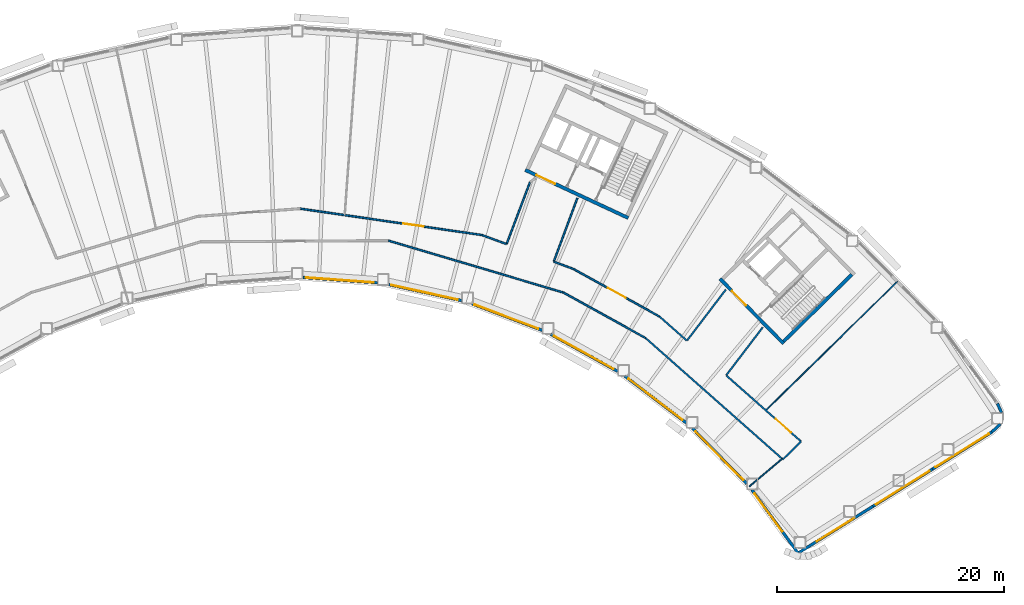
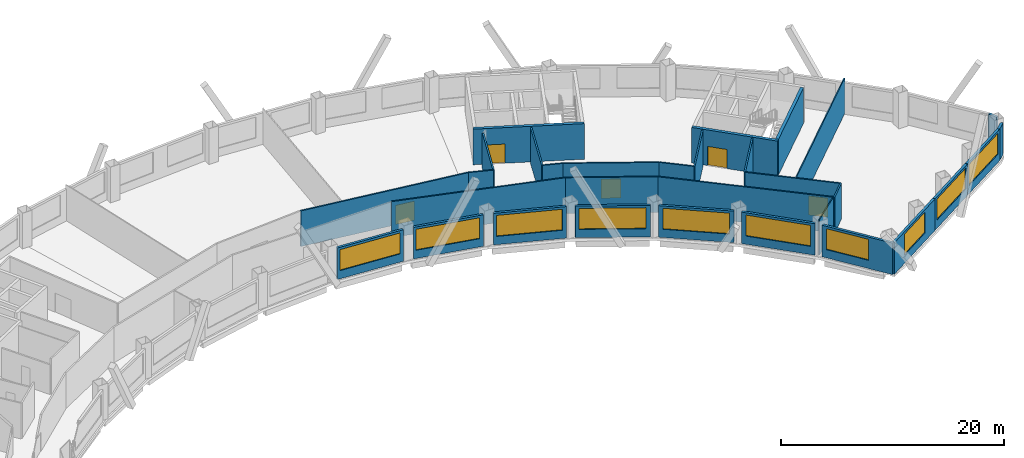
# One storey, part 6 of 11: 31 walls, 10 windows, 5 doors, 15 openings.
"""IFC4 building model written with IfcOpenShell, lengths in metres."""

from ifc_helpers import new_model, si_unit, direction, frame, frame_2d, origin, place, context, subcontext, project, spatial, rectangle, extrude, material, layer, layer_set, type_object, element, fill, save


model = new_model("IFC4")

# Units and contexts
model_context = context("Model", 3, precision=1e-05, world=origin(), true_north=direction((0.0, 1.0)))
body_context = subcontext(model_context, "Body", "Model", "MODEL_VIEW")
ifc_project = project(units=[si_unit("LENGTHUNIT", "METRE"), si_unit("AREAUNIT", "SQUARE_METRE"), si_unit("VOLUMEUNIT", "CUBIC_METRE"), si_unit("PLANEANGLEUNIT", "RADIAN"), si_unit("MASSUNIT", "GRAM", prefix="KILO")], contexts=[model_context])

# Site, building, storey
site_placement = place(None, origin())
site = spatial("IfcSite", under=ifc_project, at=site_placement, CompositionType="ELEMENT")
building_placement = place(site_placement, origin())
building = spatial("IfcBuilding", under=site, at=building_placement, Name="Tuul Gate Civic Tower", CompositionType="ELEMENT")
storey_placement = place(building_placement, frame((0.0, 0.0, 155.0)))
storey = spatial("IfcBuildingStorey", under=building, at=storey_placement, Name="Level 35", CompositionType="ELEMENT", Elevation=155.0)

# Wall, opening, door
ifc_material_1 = material(Name="Concrete C50/60", Category="concrete")
ifc_layer_1 = layer(ifc_material_1, 0.300048828125)
ifc_layer_set_1 = layer_set([ifc_layer_1], Name="Concrete C50/60")
wall_type_1 = type_object("IfcWallType", Name="Core wall C50/60", PredefinedType="SHEAR", material=ifc_layer_set_1)
wall_1_placement = place(storey_placement, frame((48.22509765625, -18.327880859375, 0.0), z_axis=(0.0, 0.0, 1.0), x_axis=(-0.700021979774, 0.714121297703, 0.0)))
wall_1 = element("IfcWall", 1, at=wall_1_placement, inside=storey, type_object=wall_type_1, Name="Core wall", PredefinedType="SHEAR", context=body_context, shape_type="SweptSolid", body=[
    extrude(rectangle(XDim=8.0, YDim=0.300048828125, at=frame_2d((4.0, 0.0))), origin(), (0.0, 0.0, 1.0), 3.89990234375),
])
opening_1_placement = place(wall_1_placement, frame((4.72509765625, 0.0, 0.0)))
opening_1 = element("IfcOpeningElement", 2, at=opening_1_placement, cuts=wall_1, Name="Opening LB-E1-LOBBY-1", PredefinedType="OPENING", context=body_context, shape_type="SweptSolid", body=[
    extrude(rectangle(XDim=1.800048828125, YDim=2.10009765625, at=frame_2d((0.89990234375, 1.050048828125))), frame((0.0, 0.16015625, 0.0), z_axis=(0.0, -1.0, 0.0), x_axis=(1.0, 0.0, 0.0)), (0.0, 0.0, 1.0), 0.320068359375),
])
ifc_material_2 = material(Name="Steel", Category="steel")
door_type_1 = type_object("IfcDoorType", Name="Lobby door", OperationType="DOUBLE_DOOR_SINGLE_SWING", PredefinedType="DOOR", material=ifc_material_2)
door_1_placement = place(opening_1_placement, frame((1.800048828125, 0.0, 0.0), z_axis=(0.0, 0.0, 1.0), x_axis=(-1.0, 0.0, 0.0)))
door_1 = element("IfcDoor", 3, at=door_1_placement, inside=storey, type_object=door_type_1, Name="Lobby door E1-LOBBY", OperationType="DOUBLE_DOOR_SINGLE_SWING", OverallHeight=2.10009765625, OverallWidth=1.800048828125, PredefinedType="DOOR", context=body_context, shape_type="SweptSolid", body=[
    extrude(rectangle(XDim=1.800048828125, YDim=2.10009765625, at=frame_2d((0.900146484375, 1.050048828125))), frame((0.0, 0.02490234375, 0.0), z_axis=(0.0, -1.0, 0.0), x_axis=(1.0, 0.0, 0.0)), (0.0, 0.0, 1.0), 0.050048828125),
])
fill(opening_1, door_1)

# Wall
wall_2_placement = place(storey_placement, frame((48.227294921875, -18.115966796875, 0.0), z_axis=(0.0, 0.0, 1.0), x_axis=(0.714105315431, 0.700038283577, 0.0)))
element("IfcWall", 4, at=wall_2_placement, inside=storey, type_object=wall_type_1, Name="Core wall", PredefinedType="SHEAR", context=body_context, shape_type="SweptSolid", body=[
    extrude(rectangle(XDim=8.400146484375, YDim=0.300048828125, at=frame_2d((4.2001953125, 0.0))), origin(), (0.0, 0.0, 1.0), 3.89990234375),
])

# Wall, opening, door
wall_3_placement = place(storey_placement, frame((34.5283203125, -7.25, 0.0), z_axis=(0.0, 0.0, 1.0), x_axis=(-0.906310338845, 0.422612789327, 0.0)))
wall_3 = element("IfcWall", 5, at=wall_3_placement, inside=storey, type_object=wall_type_1, Name="Core wall", PredefinedType="SHEAR", context=body_context, shape_type="SweptSolid", body=[
    extrude(rectangle(XDim=9.999755859375, YDim=0.300048828125, at=frame_2d((5.0, 0.0))), origin(), (0.0, 0.0, 1.0), 3.89990234375),
])
opening_2_placement = place(wall_3_placement, frame((7.125, 0.0, 0.0)))
opening_2 = element("IfcOpeningElement", 6, at=opening_2_placement, cuts=wall_3, Name="Opening LB-E3-LOBBY-1", PredefinedType="OPENING", context=body_context, shape_type="SweptSolid", body=[
    extrude(rectangle(XDim=1.800048828125, YDim=2.10009765625, at=frame_2d((0.89990234375, 1.050048828125))), frame((0.0, 0.16015625, 0.0), z_axis=(0.0, -1.0, 0.0), x_axis=(1.0, 0.0, 0.0)), (0.0, 0.0, 1.0), 0.320068359375),
])
door_2_placement = place(opening_2_placement, frame((1.800048828125, 0.0, 0.0), z_axis=(0.0, 0.0, 1.0), x_axis=(-1.0, 0.0, 0.0)))
door_2 = element("IfcDoor", 7, at=door_2_placement, inside=storey, type_object=door_type_1, Name="Lobby door E3-LOBBY", OperationType="DOUBLE_DOOR_SINGLE_SWING", OverallHeight=2.10009765625, OverallWidth=1.800048828125, PredefinedType="DOOR", context=body_context, shape_type="SweptSolid", body=[
    extrude(rectangle(XDim=1.800048828125, YDim=2.10009765625, at=frame_2d((0.900146484375, 1.050048828125))), frame((0.0, 0.02490234375, 0.0), z_axis=(0.0, -1.0, 0.0), x_axis=(1.0, 0.0, 0.0)), (0.0, 0.0, 1.0), 0.050048828125),
])
fill(opening_2, door_2)

# Walls
ifc_material_3 = material(Name="Gypsum board partition")
ifc_layer_2 = layer(ifc_material_3, 0.14990234375)
ifc_layer_set_2 = layer_set([ifc_layer_2], Name="Gypsum board partition")
wall_type_2 = type_object("IfcWallType", Name="Corridor wall P150", PredefinedType="PARTITIONING", material=ifc_layer_set_2)
wall_4_placement = place(storey_placement, frame((36.05712890625, -17.82568359375, 0.0), z_axis=(0.0, 0.0, 1.0), x_axis=(0.749274461917, -0.66225960221, 0.0)))
element("IfcWall", 8, at=wall_4_placement, inside=storey, type_object=wall_type_2, Name="p003", PredefinedType="PARTITIONING", context=body_context, shape_type="SweptSolid", body=[
    extrude(rectangle(XDim=16.144287109375, YDim=0.14990234375, at=frame_2d((8.072265625, 0.0))), origin(), (0.0, 0.0, 1.0), 3.89990234375),
])
wall_5_placement = place(storey_placement, frame((48.153564453125, -28.517333984375, 0.0), z_axis=(0.0, 0.0, 1.0), x_axis=(0.711649081693, 0.702535112664, 0.0)))
element("IfcWall", 9, at=wall_5_placement, inside=storey, type_object=wall_type_2, Name="p004", PredefinedType="PARTITIONING", context=body_context, shape_type="SweptSolid", body=[
    extrude(rectangle(XDim=2.250244140625, YDim=0.14990234375, at=frame_2d((1.125, 0.0))), origin(), (0.0, 0.0, 1.0), 3.89990234375),
])
wall_6_placement = place(storey_placement, frame((37.291748046875, -15.93798828125, 0.0), z_axis=(0.0, 0.0, 1.0), x_axis=(0.749786473691, -0.661679865093, 0.0)))
element("IfcWall", 10, at=wall_6_placement, inside=storey, type_object=wall_type_2, Name="p005", PredefinedType="PARTITIONING", context=body_context, shape_type="SweptSolid", body=[
    extrude(rectangle(XDim=3.189453125, YDim=0.14990234375, at=frame_2d((1.5947265625, 0.0))), origin(), (0.0, 0.0, 1.0), 3.89990234375),
])

# Wall, opening, door
wall_7_placement = place(storey_placement, frame((43.172607421875, -21.1279296875, 0.0), z_axis=(0.0, 0.0, 1.0), x_axis=(0.74979808612, -0.661666706167, 0.0)))
wall_7 = element("IfcWall", 11, at=wall_7_placement, inside=storey, type_object=wall_type_2, Name="p006", PredefinedType="PARTITIONING", context=body_context, shape_type="SweptSolid", body=[
    extrude(rectangle(XDim=8.77880859375, YDim=0.14990234375, at=frame_2d((4.389404296875, 0.0))), origin(), (0.0, 0.0, 1.0), 3.89990234375),
])
opening_3_placement = place(wall_7_placement, frame((5.811767578125, 0.0, 0.0)))
opening_3 = element("IfcOpeningElement", 12, at=opening_3_placement, cuts=wall_7, Name="Opening L-D01", PredefinedType="OPENING", context=body_context, shape_type="SweptSolid", body=[
    extrude(rectangle(XDim=1.800048828125, YDim=2.10009765625, at=frame_2d((0.89990234375, 1.050048828125))), frame((0.0, 0.0849609375, 0.0), z_axis=(0.0, -1.0, 0.0), x_axis=(1.0, 0.0, 0.0)), (0.0, 0.0, 1.0), 0.169921875),
])
ifc_material_4 = material(Name="Timber door leaf, double", Category="wood")
door_type_2 = type_object("IfcDoorType", Name="Door D18", OperationType="DOUBLE_DOOR_SINGLE_SWING", PredefinedType="DOOR", material=ifc_material_4)
door_3_placement = place(opening_3_placement, origin())
door_3 = element("IfcDoor", 13, at=door_3_placement, inside=storey, type_object=door_type_2, Name="Door L-D01", OperationType="DOUBLE_DOOR_SINGLE_SWING", OverallHeight=2.10009765625, OverallWidth=1.800048828125, PredefinedType="DOOR", context=body_context, shape_type="SweptSolid", body=[
    extrude(rectangle(XDim=1.800048828125, YDim=2.10009765625, at=frame_2d((0.89990234375, 1.050048828125))), frame((0.0, 0.02490234375, 0.0), z_axis=(0.0, -1.0, 0.0), x_axis=(1.0, 0.0, 0.0)), (0.0, 0.0, 1.0), 0.050048828125),
])
fill(opening_3, door_3)

# Walls
wall_8_placement = place(storey_placement, frame((43.169677734375, -21.099609375, 0.0), z_axis=(0.0, 0.0, 1.0), x_axis=(0.605786662661, 0.795627123307, 0.0)))
element("IfcWall", 14, at=wall_8_placement, inside=storey, type_object=wall_type_2, Name="p008", PredefinedType="PARTITIONING", context=body_context, shape_type="SweptSolid", body=[
    extrude(rectangle(XDim=5.304931640625, YDim=0.14990234375, at=frame_2d((2.65234375, 0.0))), origin(), (0.0, 0.0, 1.0), 3.89990234375),
])
wall_9_placement = place(storey_placement, frame((39.713134765625, -18.04541015625, 0.0), z_axis=(0.0, 0.0, 1.0), x_axis=(0.605803162891, 0.795614559841, 0.0)))
element("IfcWall", 15, at=wall_9_placement, inside=storey, type_object=wall_type_2, Name="p009", PredefinedType="PARTITIONING", context=body_context, shape_type="SweptSolid", body=[
    extrude(rectangle(XDim=5.638916015625, YDim=0.14990234375, at=frame_2d((2.8193359375, 0.0))), origin(), (0.0, 0.0, 1.0), 3.89990234375),
])

# Wall, opening, door
wall_10_placement = place(storey_placement, frame((29.74365234375, -11.760986328125, 0.0), z_axis=(0.0, 0.0, 1.0), x_axis=(0.874963879405, -0.48418819661, 0.0)))
wall_10 = element("IfcWall", 16, at=wall_10_placement, inside=storey, type_object=wall_type_2, Name="p010", PredefinedType="PARTITIONING", context=body_context, shape_type="SweptSolid", body=[
    extrude(rectangle(XDim=8.624755859375, YDim=0.14990234375, at=frame_2d((4.3125, 0.0))), origin(), (0.0, 0.0, 1.0), 3.89990234375),
])
opening_4_placement = place(wall_10_placement, frame((3.412353515625, 0.0, 0.0)))
opening_4 = element("IfcOpeningElement", 17, at=opening_4_placement, cuts=wall_10, Name="Opening L-D02", PredefinedType="OPENING", context=body_context, shape_type="SweptSolid", body=[
    extrude(rectangle(XDim=1.800048828125, YDim=2.10009765625, at=frame_2d((0.89990234375, 1.050048828125))), frame((0.0, 0.0849609375, 0.0), z_axis=(0.0, -1.0, 0.0), x_axis=(1.0, 0.0, 0.0)), (0.0, 0.0, 1.0), 0.169921875),
])
door_4_placement = place(opening_4_placement, origin())
door_4 = element("IfcDoor", 18, at=door_4_placement, inside=storey, type_object=door_type_2, Name="Door L-D02", OperationType="DOUBLE_DOOR_SINGLE_SWING", OverallHeight=2.10009765625, OverallWidth=1.800048828125, PredefinedType="DOOR", context=body_context, shape_type="SweptSolid", body=[
    extrude(rectangle(XDim=1.800048828125, YDim=2.10009765625, at=frame_2d((0.89990234375, 1.050048828125))), frame((0.0, 0.02490234375, 0.0), z_axis=(0.0, -1.0, 0.0), x_axis=(1.0, 0.0, 0.0)), (0.0, 0.0, 1.0), 0.050048828125),
])
fill(opening_4, door_4)

# Walls
wall_11_placement = place(storey_placement, frame((21.662109375, -8.7568359375, 0.0), z_axis=(0.0, 0.0, 1.0), x_axis=(0.937319007973, -0.348472491443, 0.0)))
element("IfcWall", 19, at=wall_11_placement, inside=storey, type_object=wall_type_2, Name="p011", PredefinedType="PARTITIONING", context=body_context, shape_type="SweptSolid", body=[
    extrude(rectangle(XDim=2.27197265625, YDim=0.14990234375, at=frame_2d((1.135986328125, 0.0))), origin(), (0.0, 0.0, 1.0), 3.89990234375),
])
wall_12_placement = place(storey_placement, frame((27.987548828125, -11.108154296875, 0.0), z_axis=(0.0, 0.0, 1.0), x_axis=(0.937359575366, -0.348363354084, 0.0)))
element("IfcWall", 20, at=wall_12_placement, inside=storey, type_object=wall_type_2, Name="p012", PredefinedType="PARTITIONING", context=body_context, shape_type="SweptSolid", body=[
    extrude(rectangle(XDim=1.871826171875, YDim=0.14990234375, at=frame_2d((0.93603515625, 0.0))), origin(), (0.0, 0.0, 1.0), 3.89990234375),
])
wall_13_placement = place(storey_placement, frame((27.975341796875, -11.081298828125, 0.0), z_axis=(0.0, 0.0, 1.0), x_axis=(0.348388102899, 0.937350377265, 0.0)))
element("IfcWall", 21, at=wall_13_placement, inside=storey, type_object=wall_type_2, Name="p013", PredefinedType="PARTITIONING", context=body_context, shape_type="SweptSolid", body=[
    extrude(rectangle(XDim=5.9599609375, YDim=0.14990234375, at=frame_2d((2.97998046875, 0.0))), origin(), (0.0, 0.0, 1.0), 3.89990234375),
])
wall_14_placement = place(storey_placement, frame((23.818603515625, -9.53662109375, 0.0), z_axis=(0.0, 0.0, 1.0), x_axis=(0.354086128069, 0.935212817443, 0.0)))
element("IfcWall", 22, at=wall_14_placement, inside=storey, type_object=wall_type_2, Name="p016", PredefinedType="PARTITIONING", context=body_context, shape_type="SweptSolid", body=[
    extrude(rectangle(XDim=5.830322265625, YDim=0.14990234375, at=frame_2d((2.9150390625, 0.0))), origin(), (0.0, 0.0, 1.0), 3.89990234375),
])

# Wall, opening, door
wall_15_placement = place(storey_placement, frame((5.622314453125, -6.427490234375, 0.0), z_axis=(0.0, 0.0, 1.0), x_axis=(0.989620550356, -0.1437051367, 0.0)))
wall_15 = element("IfcWall", 23, at=wall_15_placement, inside=storey, type_object=wall_type_2, Name="p017", PredefinedType="PARTITIONING", context=body_context, shape_type="SweptSolid", body=[
    extrude(rectangle(XDim=16.205810546875, YDim=0.14990234375, at=frame_2d((8.10302734375, 0.0))), origin(), (0.0, 0.0, 1.0), 3.89990234375),
])
opening_5_placement = place(wall_15_placement, frame((9.18798828125, 0.0, 0.0)))
opening_5 = element("IfcOpeningElement", 24, at=opening_5_placement, cuts=wall_15, Name="Opening L-D03", PredefinedType="OPENING", context=body_context, shape_type="SweptSolid", body=[
    extrude(rectangle(XDim=1.800048828125, YDim=2.10009765625, at=frame_2d((0.89990234375, 1.050048828125))), frame((0.0, 0.0849609375, 0.0), z_axis=(0.0, -1.0, 0.0), x_axis=(1.0, 0.0, 0.0)), (0.0, 0.0, 1.0), 0.169921875),
])
door_5_placement = place(opening_5_placement, origin())
door_5 = element("IfcDoor", 25, at=door_5_placement, inside=storey, type_object=door_type_2, Name="Door L-D03", OperationType="DOUBLE_DOOR_SINGLE_SWING", OverallHeight=2.10009765625, OverallWidth=1.800048828125, PredefinedType="DOOR", context=body_context, shape_type="SweptSolid", body=[
    extrude(rectangle(XDim=1.800048828125, YDim=2.10009765625, at=frame_2d((0.89990234375, 1.050048828125))), frame((0.0, 0.02490234375, 0.0), z_axis=(0.0, -1.0, 0.0), x_axis=(1.0, 0.0, 0.0)), (0.0, 0.0, 1.0), 0.050048828125),
])
fill(opening_5, door_5)

# Walls
wall_16_placement = place(storey_placement, frame((13.4052734375, -9.24755859375, 0.0), z_axis=(0.0, 0.0, 1.0), x_axis=(0.958768044807, -0.284189789149, 0.0)))
element("IfcWall", 26, at=wall_16_placement, inside=storey, type_object=wall_type_2, Name="p039", PredefinedType="PARTITIONING", context=body_context, shape_type="SweptSolid", body=[
    extrude(rectangle(XDim=16.057861328125, YDim=0.14990234375, at=frame_2d((8.02880859375, 0.0))), origin(), (0.0, 0.0, 1.0), 3.89990234375),
])
wall_17_placement = place(storey_placement, frame((28.801025390625, -13.81103515625, 0.0), z_axis=(0.0, 0.0, 1.0), x_axis=(0.874969827012, -0.484177448689, 0.0)))
element("IfcWall", 27, at=wall_17_placement, inside=storey, type_object=wall_type_2, Name="p040", PredefinedType="PARTITIONING", context=body_context, shape_type="SweptSolid", body=[
    extrude(rectangle(XDim=8.292724609375, YDim=0.14990234375, at=frame_2d((4.146484375, 0.0))), origin(), (0.0, 0.0, 1.0), 3.89990234375),
])
ifc_material_5 = material(Name="Precast concrete C40/50", Category="concrete")
ifc_layer_3 = layer(ifc_material_5, 0.25)
ifc_layer_set_3 = layer_set([ifc_layer_3], Name="Precast concrete C40/50")
wall_type_3 = type_object("IfcWallType", Name="External wall", PredefinedType="STANDARD", material=ifc_layer_set_3)
wall_18_placement = place(storey_placement, frame((66.564453125, -26.109619140625, 0.0), z_axis=(0.0, 0.0, 1.0), x_axis=(0.722224898846, 0.691658293875, 0.0)))
element("IfcWall", 28, at=wall_18_placement, inside=storey, type_object=wall_type_3, Name="External wall", PredefinedType="STANDARD", context=body_context, shape_type="SweptSolid", body=[
    extrude(rectangle(XDim=1.0302734375, YDim=0.25, at=frame_2d((0.51513671875, 0.0))), origin(), (0.0, 0.0, 1.0), 3.449951171875),
])
wall_19_placement = place(storey_placement, frame((67.416015625, -24.39697265625, 0.0), z_axis=(0.0, 0.0, 1.0), x_axis=(-0.41355333093, 0.9104798968, 0.0)))
element("IfcWall", 29, at=wall_19_placement, inside=storey, type_object=wall_type_3, Name="External wall", PredefinedType="STANDARD", context=body_context, shape_type="SweptSolid", body=[
    extrude(rectangle(XDim=0.88427734375, YDim=0.25, at=frame_2d((0.442138671875, 0.0))), origin(), (0.0, 0.0, 1.0), 3.449951171875),
])

# Wall, opening, window
wall_20_placement = place(storey_placement, frame((5.8740234375, -12.48583984375, 0.0), z_axis=(0.0, 0.0, 1.0), x_axis=(0.997383866909, -0.072287080662, 0.0)))
wall_20 = element("IfcWall", 30, at=wall_20_placement, inside=storey, type_object=wall_type_3, Name="External wall", PredefinedType="STANDARD", context=body_context, shape_type="SweptSolid", body=[
    extrude(rectangle(XDim=6.58935546875, YDim=0.25, at=frame_2d((3.294677734375, 0.0))), origin(), (0.0, 0.0, 1.0), 3.449951171875),
])
opening_6_placement = place(wall_20_placement, frame((0.27099609375, 0.0, 0.89990234375)))
opening_6 = element("IfcOpeningElement", 31, at=opening_6_placement, cuts=wall_20, Name="Opening W26", PredefinedType="OPENING", context=body_context, shape_type="SweptSolid", body=[
    extrude(rectangle(XDim=6.0, YDim=2.300048828125, at=frame_2d((3.0, 1.14990234375))), frame((0.0, 0.135009765625, 0.0), z_axis=(0.0, -1.0, 0.0), x_axis=(1.0, 0.0, 0.0)), (0.0, 0.0, 1.0), 0.27001953125),
])
ifc_material_6 = material(Name="Glass", Category="glass")
window_type_1 = type_object("IfcWindowType", Name="Window W26 6000 x 2300", PartitioningType="SINGLE_PANEL", PredefinedType="WINDOW", material=ifc_material_6)
window_1_placement = place(opening_6_placement, origin())
window_1 = element("IfcWindow", 32, at=window_1_placement, inside=storey, type_object=window_type_1, Name="Window", OverallHeight=2.300048828125, OverallWidth=6.0, PartitioningType="SINGLE_PANEL", PredefinedType="WINDOW", context=body_context, shape_type="SweptSolid", body=[
    extrude(rectangle(XDim=6.0, YDim=2.300048828125, at=frame_2d((3.0, 1.14990234375))), frame((0.0, 0.030029296875, 0.0), z_axis=(0.0, -1.0, 0.0), x_axis=(1.0, 0.0, 0.0)), (0.0, 0.0, 1.0), 0.06005859375),
])
fill(opening_6, window_1)

wall_21_placement = place(storey_placement, frame((13.446044921875, -13.115478515625, 0.0), z_axis=(0.0, 0.0, 1.0), x_axis=(0.976557337415, -0.215257442942, 0.0)))
wall_21 = element("IfcWall", 33, at=wall_21_placement, inside=storey, type_object=wall_type_3, Name="External wall", PredefinedType="STANDARD", context=body_context, shape_type="SweptSolid", body=[
    extrude(rectangle(XDim=6.568115234375, YDim=0.25, at=frame_2d((3.2841796875, 0.0))), origin(), (0.0, 0.0, 1.0), 3.449951171875),
])
opening_7_placement = place(wall_21_placement, frame((0.212158203125, 0.0, 0.89990234375)))
opening_7 = element("IfcOpeningElement", 34, at=opening_7_placement, cuts=wall_21, Name="Opening W26", PredefinedType="OPENING", context=body_context, shape_type="SweptSolid", body=[
    extrude(rectangle(XDim=6.0, YDim=2.300048828125, at=frame_2d((3.0, 1.14990234375))), frame((0.0, 0.135009765625, 0.0), z_axis=(0.0, -1.0, 0.0), x_axis=(1.0, 0.0, 0.0)), (0.0, 0.0, 1.0), 0.27001953125),
])
window_2_placement = place(opening_7_placement, origin())
window_2 = element("IfcWindow", 35, at=window_2_placement, inside=storey, type_object=window_type_1, Name="Window", OverallHeight=2.300048828125, OverallWidth=6.0, PartitioningType="SINGLE_PANEL", PredefinedType="WINDOW", context=body_context, shape_type="SweptSolid", body=[
    extrude(rectangle(XDim=6.0, YDim=2.300048828125, at=frame_2d((3.0, 1.14990234375))), frame((0.0, 0.030029296875, 0.0), z_axis=(0.0, -1.0, 0.0), x_axis=(1.0, 0.0, 0.0)), (0.0, 0.0, 1.0), 0.06005859375),
])
fill(opening_7, window_2)

wall_22_placement = place(storey_placement, frame((20.76416015625, -14.806884765625, 0.0), z_axis=(0.0, 0.0, 1.0), x_axis=(0.935359421998, -0.353698673562, 0.0)))
wall_22 = element("IfcWall", 36, at=wall_22_placement, inside=storey, type_object=wall_type_3, Name="External wall", PredefinedType="STANDARD", context=body_context, shape_type="SweptSolid", body=[
    extrude(rectangle(XDim=6.625, YDim=0.25, at=frame_2d((3.3125, 0.0))), origin(), (0.0, 0.0, 1.0), 3.449951171875),
])
opening_8_placement = place(wall_22_placement, frame((0.240478515625, 0.0, 0.89990234375)))
opening_8 = element("IfcOpeningElement", 37, at=opening_8_placement, cuts=wall_22, Name="Opening W26", PredefinedType="OPENING", context=body_context, shape_type="SweptSolid", body=[
    extrude(rectangle(XDim=6.0, YDim=2.300048828125, at=frame_2d((3.0, 1.14990234375))), frame((0.0, 0.135009765625, 0.0), z_axis=(0.0, -1.0, 0.0), x_axis=(1.0, 0.0, 0.0)), (0.0, 0.0, 1.0), 0.27001953125),
])
window_3_placement = place(opening_8_placement, origin())
window_3 = element("IfcWindow", 38, at=window_3_placement, inside=storey, type_object=window_type_1, Name="Window", OverallHeight=2.300048828125, OverallWidth=6.0, PartitioningType="SINGLE_PANEL", PredefinedType="WINDOW", context=body_context, shape_type="SweptSolid", body=[
    extrude(rectangle(XDim=6.0, YDim=2.300048828125, at=frame_2d((3.0, 1.14990234375))), frame((0.0, 0.030029296875, 0.0), z_axis=(0.0, -1.0, 0.0), x_axis=(1.0, 0.0, 0.0)), (0.0, 0.0, 1.0), 0.06005859375),
])
fill(opening_8, window_3)

wall_23_placement = place(storey_placement, frame((27.693115234375, -17.491943359375, 0.0), z_axis=(0.0, 0.0, 1.0), x_axis=(0.874615488592, -0.484817230628, 0.0)))
wall_23 = element("IfcWall", 39, at=wall_23_placement, inside=storey, type_object=wall_type_3, Name="External wall", PredefinedType="STANDARD", context=body_context, shape_type="SweptSolid", body=[
    extrude(rectangle(XDim=6.7548828125, YDim=0.25, at=frame_2d((3.37744140625, 0.0))), origin(), (0.0, 0.0, 1.0), 3.449951171875),
])
opening_9_placement = place(wall_23_placement, frame((0.35009765625, 0.0, 0.89990234375)))
opening_9 = element("IfcOpeningElement", 40, at=opening_9_placement, cuts=wall_23, Name="Opening W26", PredefinedType="OPENING", context=body_context, shape_type="SweptSolid", body=[
    extrude(rectangle(XDim=6.0, YDim=2.300048828125, at=frame_2d((3.0, 1.14990234375))), frame((0.0, 0.135009765625, 0.0), z_axis=(0.0, -1.0, 0.0), x_axis=(1.0, 0.0, 0.0)), (0.0, 0.0, 1.0), 0.27001953125),
])
window_4_placement = place(opening_9_placement, origin())
window_4 = element("IfcWindow", 41, at=window_4_placement, inside=storey, type_object=window_type_1, Name="Window", OverallHeight=2.300048828125, OverallWidth=6.0, PartitioningType="SINGLE_PANEL", PredefinedType="WINDOW", context=body_context, shape_type="SweptSolid", body=[
    extrude(rectangle(XDim=6.0, YDim=2.300048828125, at=frame_2d((3.0, 1.14990234375))), frame((0.0, 0.030029296875, 0.0), z_axis=(0.0, -1.0, 0.0), x_axis=(1.0, 0.0, 0.0)), (0.0, 0.0, 1.0), 0.06005859375),
])
fill(opening_9, window_4)

wall_24_placement = place(storey_placement, frame((34.220458984375, -21.172119140625, 0.0), z_axis=(0.0, 0.0, 1.0), x_axis=(0.795597025415, -0.605826190546, 0.0)))
wall_24 = element("IfcWall", 42, at=wall_24_placement, inside=storey, type_object=wall_type_3, Name="External wall", PredefinedType="STANDARD", context=body_context, shape_type="SweptSolid", body=[
    extrude(rectangle(XDim=6.813232421875, YDim=0.25, at=frame_2d((3.40673828125, 0.0))), origin(), (0.0, 0.0, 1.0), 3.449951171875),
])
opening_10_placement = place(wall_24_placement, frame((0.397705078125, 0.0, 0.89990234375)))
opening_10 = element("IfcOpeningElement", 43, at=opening_10_placement, cuts=wall_24, Name="Opening W26", PredefinedType="OPENING", context=body_context, shape_type="SweptSolid", body=[
    extrude(rectangle(XDim=6.0, YDim=2.300048828125, at=frame_2d((3.0, 1.14990234375))), frame((0.0, 0.135009765625, 0.0), z_axis=(0.0, -1.0, 0.0), x_axis=(1.0, 0.0, 0.0)), (0.0, 0.0, 1.0), 0.27001953125),
])
window_5_placement = place(opening_10_placement, origin())
window_5 = element("IfcWindow", 44, at=window_5_placement, inside=storey, type_object=window_type_1, Name="Window", OverallHeight=2.300048828125, OverallWidth=6.0, PartitioningType="SINGLE_PANEL", PredefinedType="WINDOW", context=body_context, shape_type="SweptSolid", body=[
    extrude(rectangle(XDim=6.0, YDim=2.300048828125, at=frame_2d((3.0, 1.14990234375))), frame((0.0, 0.030029296875, 0.0), z_axis=(0.0, -1.0, 0.0), x_axis=(1.0, 0.0, 0.0)), (0.0, 0.0, 1.0), 0.06005859375),
])
fill(opening_10, window_5)

wall_25_placement = place(storey_placement, frame((40.1748046875, -25.77099609375, 0.0), z_axis=(0.0, 0.0, 1.0), x_axis=(0.700046388208, -0.714097370361, 0.0)))
wall_25 = element("IfcWall", 45, at=wall_25_placement, inside=storey, type_object=wall_type_3, Name="External wall", PredefinedType="STANDARD", context=body_context, shape_type="SweptSolid", body=[
    extrude(rectangle(XDim=6.82861328125, YDim=0.25, at=frame_2d((3.414306640625, 0.0))), origin(), (0.0, 0.0, 1.0), 3.449951171875),
])
opening_11_placement = place(wall_25_placement, frame((0.41552734375, 0.0, 0.89990234375)))
opening_11 = element("IfcOpeningElement", 46, at=opening_11_placement, cuts=wall_25, Name="Opening W26", PredefinedType="OPENING", context=body_context, shape_type="SweptSolid", body=[
    extrude(rectangle(XDim=6.0, YDim=2.300048828125, at=frame_2d((3.0, 1.14990234375))), frame((0.0, 0.135009765625, 0.0), z_axis=(0.0, -1.0, 0.0), x_axis=(1.0, 0.0, 0.0)), (0.0, 0.0, 1.0), 0.27001953125),
])
window_6_placement = place(opening_11_placement, origin())
window_6 = element("IfcWindow", 47, at=window_6_placement, inside=storey, type_object=window_type_1, Name="Window", OverallHeight=2.300048828125, OverallWidth=6.0, PartitioningType="SINGLE_PANEL", PredefinedType="WINDOW", context=body_context, shape_type="SweptSolid", body=[
    extrude(rectangle(XDim=6.0, YDim=2.300048828125, at=frame_2d((3.0, 1.14990234375))), frame((0.0, 0.030029296875, 0.0), z_axis=(0.0, -1.0, 0.0), x_axis=(1.0, 0.0, 0.0)), (0.0, 0.0, 1.0), 0.06005859375),
])
fill(opening_11, window_6)

wall_26_placement = place(storey_placement, frame((45.417724609375, -31.193115234375, 0.0), z_axis=(0.0, 0.0, 1.0), x_axis=(0.589725122594, -0.807604036507, 0.0)))
wall_26 = element("IfcWall", 48, at=wall_26_placement, inside=storey, type_object=wall_type_3, Name="External wall", PredefinedType="STANDARD", context=body_context, shape_type="SweptSolid", body=[
    extrude(rectangle(XDim=6.910400390625, YDim=0.25, at=frame_2d((3.455078125, 0.0))), origin(), (0.0, 0.0, 1.0), 3.449951171875),
])
opening_12_placement = place(wall_26_placement, frame((0.40380859375, 0.0, 0.89990234375)))
opening_12 = element("IfcOpeningElement", 49, at=opening_12_placement, cuts=wall_26, Name="Opening W25", PredefinedType="OPENING", context=body_context, shape_type="SweptSolid", body=[
    extrude(rectangle(XDim=4.14990234375, YDim=2.300048828125, at=frame_2d((2.074951171875, 1.14990234375))), frame((0.0, 0.135009765625, 0.0), z_axis=(0.0, -1.0, 0.0), x_axis=(1.0, 0.0, 0.0)), (0.0, 0.0, 1.0), 0.27001953125),
])
ifc_material_7 = material(Name="Glass", Category="glass")
window_type_2 = type_object("IfcWindowType", Name="Window W25 4150 x 2300", PartitioningType="SINGLE_PANEL", PredefinedType="WINDOW", material=ifc_material_7)
window_7_placement = place(opening_12_placement, origin())
window_7 = element("IfcWindow", 50, at=window_7_placement, inside=storey, type_object=window_type_2, Name="Window", OverallHeight=2.300048828125, OverallWidth=4.14990234375, PartitioningType="SINGLE_PANEL", PredefinedType="WINDOW", context=body_context, shape_type="SweptSolid", body=[
    extrude(rectangle(XDim=4.14990234375, YDim=2.300048828125, at=frame_2d((2.074951171875, 1.14990234375))), frame((0.0, 0.030029296875, 0.0), z_axis=(0.0, -1.0, 0.0), x_axis=(1.0, 0.0, 0.0)), (0.0, 0.0, 1.0), 0.06005859375),
])
fill(opening_12, window_7)

wall_27_placement = place(storey_placement, frame((49.492919921875, -36.77392578125, 0.0), z_axis=(0.0, 0.0, 1.0), x_axis=(0.848059933221, 0.529900320499, 0.0)))
wall_27 = element("IfcWall", 51, at=wall_27_placement, inside=storey, type_object=wall_type_3, Name="External wall", PredefinedType="STANDARD", context=body_context, shape_type="SweptSolid", body=[
    extrude(rectangle(XDim=7.78857421875, YDim=0.25, at=frame_2d((3.894287109375, 0.0))), origin(), (0.0, 0.0, 1.0), 3.449951171875),
])
opening_13_placement = place(wall_27_placement, frame((1.94189453125, 0.0, 0.89990234375)))
opening_13 = element("IfcOpeningElement", 52, at=opening_13_placement, cuts=wall_27, Name="Opening W113", PredefinedType="OPENING", context=body_context, shape_type="SweptSolid", body=[
    extrude(rectangle(XDim=3.949951171875, YDim=2.300048828125, at=frame_2d((1.97509765625, 1.14990234375))), frame((0.0, 0.135009765625, 0.0), z_axis=(0.0, -1.0, 0.0), x_axis=(1.0, 0.0, 0.0)), (0.0, 0.0, 1.0), 0.27001953125),
])
ifc_material_8 = material(Name="Glass", Category="glass")
window_type_3 = type_object("IfcWindowType", Name="Window W113 3950 x 2300", PartitioningType="SINGLE_PANEL", PredefinedType="WINDOW", material=ifc_material_8)
window_8_placement = place(opening_13_placement, origin())
window_8 = element("IfcWindow", 53, at=window_8_placement, inside=storey, type_object=window_type_3, Name="Window", OverallHeight=2.300048828125, OverallWidth=3.949951171875, PartitioningType="SINGLE_PANEL", PredefinedType="WINDOW", context=body_context, shape_type="SweptSolid", body=[
    extrude(rectangle(XDim=3.949951171875, YDim=2.300048828125, at=frame_2d((1.97509765625, 1.14990234375))), frame((0.0, 0.030029296875, 0.0), z_axis=(0.0, -1.0, 0.0), x_axis=(1.0, 0.0, 0.0)), (0.0, 0.0, 1.0), 0.06005859375),
])
fill(opening_13, window_8)

wall_28_placement = place(storey_placement, frame((56.09814453125, -32.646728515625, 0.0), z_axis=(0.0, 0.0, 1.0), x_axis=(0.848042669488, 0.529927948619, 0.0)))
wall_28 = element("IfcWall", 54, at=wall_28_placement, inside=storey, type_object=wall_type_3, Name="External wall", PredefinedType="STANDARD", context=body_context, shape_type="SweptSolid", body=[
    extrude(rectangle(XDim=6.1826171875, YDim=0.25, at=frame_2d((3.09130859375, 0.0))), origin(), (0.0, 0.0, 1.0), 3.449951171875),
])
opening_14_placement = place(wall_28_placement, frame((0.31640625, 0.0, 0.89990234375)))
opening_14 = element("IfcOpeningElement", 55, at=opening_14_placement, cuts=wall_28, Name="Opening W24", PredefinedType="OPENING", context=body_context, shape_type="SweptSolid", body=[
    extrude(rectangle(XDim=5.550048828125, YDim=2.300048828125, at=frame_2d((2.77490234375, 1.14990234375))), frame((0.0, 0.135009765625, 0.0), z_axis=(0.0, -1.0, 0.0), x_axis=(1.0, 0.0, 0.0)), (0.0, 0.0, 1.0), 0.27001953125),
])
ifc_material_9 = material(Name="Glass", Category="glass")
window_type_4 = type_object("IfcWindowType", Name="Window W24 5550 x 2300", PartitioningType="SINGLE_PANEL", PredefinedType="WINDOW", material=ifc_material_9)
window_9_placement = place(opening_14_placement, origin())
window_9 = element("IfcWindow", 56, at=window_9_placement, inside=storey, type_object=window_type_4, Name="Window", OverallHeight=2.300048828125, OverallWidth=5.550048828125, PartitioningType="SINGLE_PANEL", PredefinedType="WINDOW", context=body_context, shape_type="SweptSolid", body=[
    extrude(rectangle(XDim=5.550048828125, YDim=2.300048828125, at=frame_2d((2.77490234375, 1.14990234375))), frame((0.0, 0.030029296875, 0.0), z_axis=(0.0, -1.0, 0.0), x_axis=(1.0, 0.0, 0.0)), (0.0, 0.0, 1.0), 0.06005859375),
])
fill(opening_14, window_9)

wall_29_placement = place(storey_placement, frame((61.34130859375, -29.370361328125, 0.0), z_axis=(0.0, 0.0, 1.0), x_axis=(0.848053758074, 0.529910203164, 0.0)))
wall_29 = element("IfcWall", 57, at=wall_29_placement, inside=storey, type_object=wall_type_3, Name="External wall", PredefinedType="STANDARD", context=body_context, shape_type="SweptSolid", body=[
    extrude(rectangle(XDim=6.182861328125, YDim=0.25, at=frame_2d((3.09130859375, 0.0))), origin(), (0.0, 0.0, 1.0), 3.449951171875),
])
opening_15_placement = place(wall_29_placement, frame((0.31640625, 0.0, 0.89990234375)))
opening_15 = element("IfcOpeningElement", 58, at=opening_15_placement, cuts=wall_29, Name="Opening W24", PredefinedType="OPENING", context=body_context, shape_type="SweptSolid", body=[
    extrude(rectangle(XDim=5.550048828125, YDim=2.300048828125, at=frame_2d((2.77490234375, 1.14990234375))), frame((0.0, 0.135009765625, 0.0), z_axis=(0.0, -1.0, 0.0), x_axis=(1.0, 0.0, 0.0)), (0.0, 0.0, 1.0), 0.27001953125),
])
window_10_placement = place(opening_15_placement, origin())
window_10 = element("IfcWindow", 59, at=window_10_placement, inside=storey, type_object=window_type_4, Name="Window", OverallHeight=2.300048828125, OverallWidth=5.550048828125, PartitioningType="SINGLE_PANEL", PredefinedType="WINDOW", context=body_context, shape_type="SweptSolid", body=[
    extrude(rectangle(XDim=5.550048828125, YDim=2.300048828125, at=frame_2d((2.77490234375, 1.14990234375))), frame((0.0, 0.030029296875, 0.0), z_axis=(0.0, -1.0, 0.0), x_axis=(1.0, 0.0, 0.0)), (0.0, 0.0, 1.0), 0.06005859375),
])
fill(opening_15, window_10)

# Walls
ifc_material_10 = material(Name="Gypsum board partition")
ifc_layer_4 = layer(ifc_material_10, 0.10009765625)
ifc_layer_set_4 = layer_set([ifc_layer_4], Name="Gypsum board partition")
wall_type_4 = type_object("IfcWallType", Name="Partition P100", PredefinedType="PARTITIONING", material=ifc_layer_set_4)
wall_30_placement = place(storey_placement, frame((46.655029296875, -24.201171875, 0.0), z_axis=(0.0, 0.0, 1.0), x_axis=(0.714127101871, 0.700016058653, 0.0)))
element("IfcWall", 60, at=wall_30_placement, inside=storey, type_object=wall_type_4, Name="p001", PredefinedType="PARTITIONING", context=body_context, shape_type="SweptSolid", body=[
    extrude(rectangle(XDim=16.228759765625, YDim=0.10009765625, at=frame_2d((8.1142578125, 0.0))), origin(), (0.0, 0.0, 1.0), 3.89990234375),
])
wall_31_placement = place(storey_placement, frame((45.202392578125, -30.906982421875, 0.0), z_axis=(0.0, 0.0, 1.0), x_axis=(0.762842742197, 0.646584063117, 0.0)))
element("IfcWall", 61, at=wall_31_placement, inside=storey, type_object=wall_type_4, Name="p002", PredefinedType="PARTITIONING", context=body_context, shape_type="SweptSolid", body=[
    extrude(rectangle(XDim=3.7841796875, YDim=0.10009765625, at=frame_2d((1.89208984375, 0.0))), origin(), (0.0, 0.0, 1.0), 3.89990234375),
])

save(model, "model.ifc")
